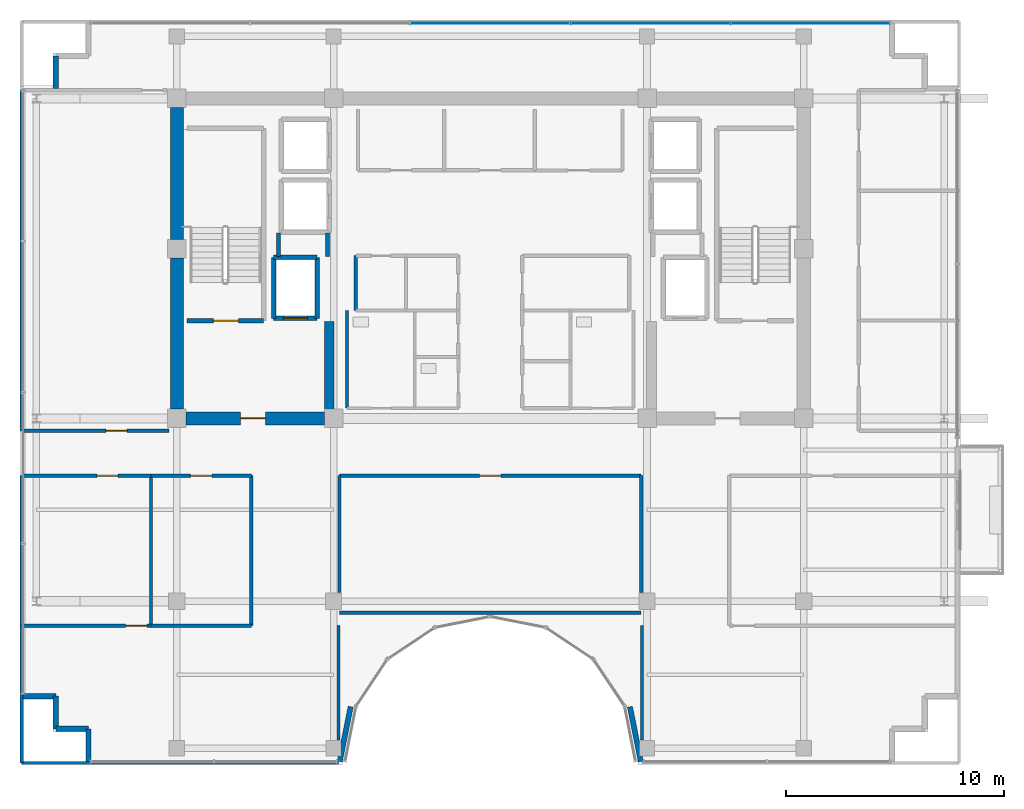
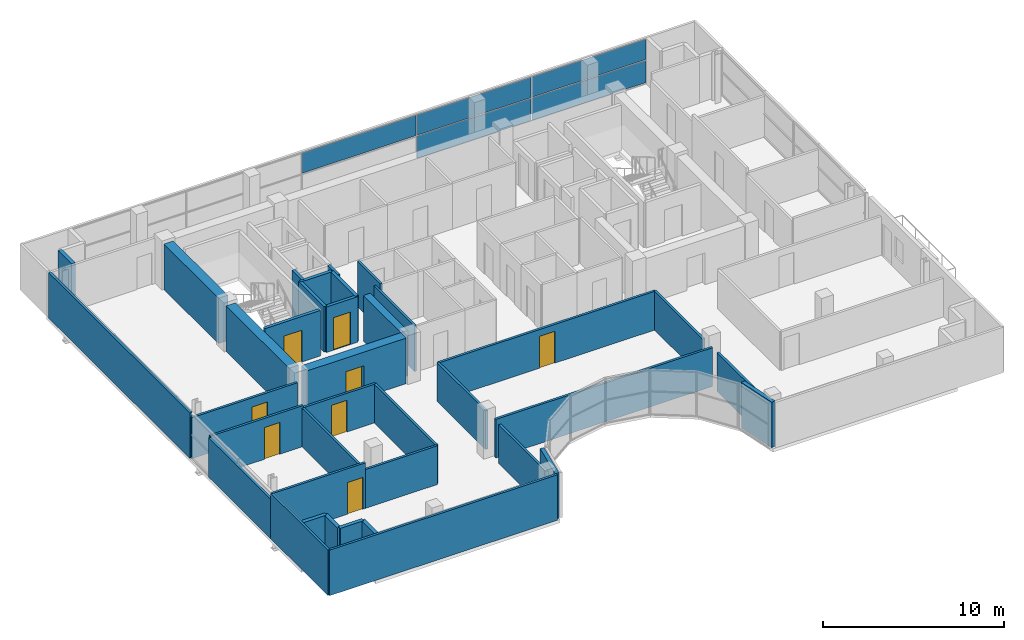
# One storey, part 23 of 29: 37 walls, 8 doors, 5 plates, 8 openings, 1 element without a shape of its own.
"""IFC4 building model written with IfcOpenShell, lengths in metres."""

from ifc_helpers import new_model, si_unit, direction, frame, frame_2d, origin, origin_2d, place, context, subcontext, project, spatial, rectangle, extrude, source, transform, mapped, material, layer, layer_set, type_object, element, fill, aggregate, save


model = new_model("IFC4")

# Units and contexts
model_context = context("Model", 3, precision=1e-05, world=origin(), true_north=direction((0.0, 1.0)))
body_context = subcontext(model_context, "Body", "Model", "MODEL_VIEW")
ifc_project = project(units=[si_unit("LENGTHUNIT", "METRE"), si_unit("AREAUNIT", "SQUARE_METRE"), si_unit("VOLUMEUNIT", "CUBIC_METRE"), si_unit("PLANEANGLEUNIT", "RADIAN"), si_unit("MASSUNIT", "GRAM", prefix="KILO")], contexts=[model_context])

# Site, building, storey
site_placement = place(None, origin())
site = spatial("IfcSite", under=ifc_project, at=site_placement, CompositionType="ELEMENT")
building_placement = place(site_placement, origin())
building = spatial("IfcBuilding", under=site, at=building_placement, Name="Zarnakvel Exchange Tower", CompositionType="ELEMENT")
storey_placement = place(building_placement, frame((0.0, 0.0, 258.39990234375)))
storey = spatial("IfcBuildingStorey", under=building, at=storey_placement, Name="L73", CompositionType="ELEMENT", Elevation=258.39990234375)

# Curtain wall, plates
ifc_material_1 = material(Name="Architectural Bronze Anodised Aluminium", Category="aluminium")
ifc_layer_1 = layer(ifc_material_1, 0.159912109375)
ifc_layer_set_1 = layer_set([ifc_layer_1], Name="Architectural Bronze Anodised Aluminium")
curtain_wall_type = type_object("IfcCurtainWallType", Name="CW-06", PredefinedType="NOTDEFINED", material=ifc_layer_set_1)
curtain_wall_placement = place(storey_placement, origin())
curtain_wall = element("IfcCurtainWall", 1, at=curtain_wall_placement, inside=storey, type_object=curtain_wall_type, Name="L73 Curtain Wall CW-L73-N1 (CW-06)", PredefinedType="NOTDEFINED")
ifc_material_2 = material(Name="Double Low-E Laminated Vision Glass", Category="glass")
ifc_layer_2 = layer(ifc_material_2, 0.033935546875)
ifc_layer_set_2 = layer_set([ifc_layer_2], Name="Double Low-E Laminated Vision Glass")
plate_type = type_object("IfcPlateType", Name="CWP-06", PredefinedType="CURTAIN_PANEL", material=ifc_layer_set_2)
shared_shape_1 = source(origin(), body_context, "Body", "SweptSolid", [
    extrude(rectangle(XDim=7.262451171875, YDim=0.033935546875, at=origin_2d()), origin(), (0.0, 0.0, 1.0), 1.4912109375),
])
plate_1_placement = place(storey_placement, frame((14.703857421875, 16.9599609375, 0.06494140625), z_axis=(0.0, 0.0, 1.0), x_axis=(1.0, 0.0, 0.0)))
plate_1 = element("IfcPlate", 2, at=plate_1_placement, type_object=plate_type, Name="CW-06 panel 5.1", PredefinedType="CURTAIN_PANEL", context=body_context, shape_type="MappedRepresentation", body=[
    mapped(shared_shape_1, transform((0.0, 0.0, 0.0), x_axis=(1.0, 0.0, 0.0), y_axis=(0.0, 1.0, 0.0), z_axis=(0.0, 0.0, 1.0), scale=1.0)),
])
shared_shape_2 = source(origin(), body_context, "Body", "SweptSolid", [
    extrude(rectangle(XDim=7.262451171875, YDim=0.033935546875, at=origin_2d()), origin(), (0.0, 0.0, 1.0), 1.368896484375),
])
plate_2_placement = place(storey_placement, frame((14.703857421875, 16.9599609375, 1.62109375), z_axis=(0.0, 0.0, 1.0), x_axis=(1.0, 0.0, 0.0)))
plate_2 = element("IfcPlate", 3, at=plate_2_placement, type_object=plate_type, Name="CW-06 panel 5.2", PredefinedType="CURTAIN_PANEL", context=body_context, shape_type="MappedRepresentation", body=[
    mapped(shared_shape_2, transform((0.0, 0.0, 0.0), x_axis=(1.0, 0.0, 0.0), y_axis=(0.0, 1.0, 0.0), z_axis=(0.0, 0.0, 1.0), scale=1.0)),
])
shared_shape_3 = source(origin(), body_context, "Body", "SweptSolid", [
    extrude(rectangle(XDim=7.294921875, YDim=0.033935546875, at=origin_2d()), origin(), (0.0, 0.0, 1.0), 1.4912109375),
])
plate_3_placement = place(storey_placement, frame((7.360107421875, 16.9599609375, 0.06494140625), z_axis=(0.0, 0.0, 1.0), x_axis=(1.0, 0.0, 0.0)))
plate_3 = element("IfcPlate", 4, at=plate_3_placement, type_object=plate_type, Name="CW-06 panel 4.1", PredefinedType="CURTAIN_PANEL", context=body_context, shape_type="MappedRepresentation", body=[
    mapped(shared_shape_3, transform((0.0, 0.0, 0.0), x_axis=(1.0, 0.0, 0.0), y_axis=(0.0, 1.0, 0.0), z_axis=(0.0, 0.0, 1.0), scale=1.0)),
])
shared_shape_4 = source(origin(), body_context, "Body", "SweptSolid", [
    extrude(rectangle(XDim=7.294921875, YDim=0.033935546875, at=origin_2d()), origin(), (0.0, 0.0, 1.0), 1.368896484375),
])
plate_4_placement = place(storey_placement, frame((0.0, 16.9599609375, 1.62109375), z_axis=(0.0, 0.0, 1.0), x_axis=(1.0, 0.0, 0.0)))
plate_4 = element("IfcPlate", 5, at=plate_4_placement, type_object=plate_type, Name="CW-06 panel 3.2", PredefinedType="CURTAIN_PANEL", context=body_context, shape_type="MappedRepresentation", body=[
    mapped(shared_shape_4, transform((0.0, 0.0, 0.0), x_axis=(1.0, 0.0, 0.0), y_axis=(0.0, 1.0, 0.0), z_axis=(0.0, 0.0, 1.0), scale=1.0)),
])
plate_5_placement = place(storey_placement, frame((7.360107421875, 16.9599609375, 1.62109375), z_axis=(0.0, 0.0, 1.0), x_axis=(1.0, 0.0, 0.0)))
plate_5 = element("IfcPlate", 6, at=plate_5_placement, type_object=plate_type, Name="CW-06 panel 4.2", PredefinedType="CURTAIN_PANEL", context=body_context, shape_type="MappedRepresentation", body=[
    mapped(shared_shape_4, transform((0.0, 0.0, 0.0), x_axis=(1.0, 0.0, 0.0), y_axis=(0.0, 1.0, 0.0), z_axis=(0.0, 0.0, 1.0), scale=1.0)),
])
aggregate(curtain_wall, [plate_4, plate_3, plate_5, plate_1, plate_2])

# Walls
ifc_material_3 = material(Name="Concrete C50/60", Category="concrete")
ifc_layer_3 = layer(ifc_material_3, 0.60009765625)
ifc_layer_set_3 = layer_set([ifc_layer_3], Name="Concrete C50/60")
wall_type_1 = type_object("IfcWallType", Name="CW-C5", PredefinedType="SHEAR", material=ifc_layer_set_3)
wall_1_placement = place(storey_placement, frame((-14.39990234375, -0.77490234375, 0.0), z_axis=(0.0, 0.0, 1.0), x_axis=(0.0, 1.0, 0.0)))
element("IfcWall", 7, at=wall_1_placement, inside=storey, type_object=wall_type_1, Name="L73 Rear Core Shear Wall W1 (CW-C5)", PredefinedType="SHEAR", context=body_context, shape_type="SweptSolid", body=[
    extrude(rectangle(XDim=6.949951171875, YDim=0.60009765625, at=frame_2d((3.47509765625, 0.0))), origin(), (0.0, 0.0, 1.0), 3.0751953125),
])
wall_2_placement = place(storey_placement, frame((-14.39990234375, 7.02490234375, 0.0), z_axis=(0.0, 0.0, 1.0), x_axis=(0.0, 1.0, 0.0)))
element("IfcWall", 8, at=wall_2_placement, inside=storey, type_object=wall_type_1, Name="L73 Rear Core Shear Wall W2 (CW-C5)", PredefinedType="SHEAR", context=body_context, shape_type="SweptSolid", body=[
    extrude(rectangle(XDim=6.050048828125, YDim=0.60009765625, at=frame_2d((3.02490234375, 0.0))), origin(), (0.0, 0.0, 1.0), 3.0751953125),
])

# Wall, opening, door
wall_3_placement = place(storey_placement, frame((-7.625, -1.199951171875, 0.0), z_axis=(0.0, 0.0, 1.0), x_axis=(-1.0, 0.0, 0.0)))
wall_3 = element("IfcWall", 9, at=wall_3_placement, inside=storey, type_object=wall_type_1, Name="L73 Rear Core Shear Wall SW (CW-C5)", PredefinedType="SHEAR", context=body_context, shape_type="SweptSolid", body=[
    extrude(rectangle(XDim=6.35009765625, YDim=0.60009765625, at=frame_2d((3.175048828125, 0.0))), origin(), (0.0, 0.0, 1.0), 3.0751953125),
])
opening_1_placement = place(wall_3_placement, frame((2.699951171875, 0.0, 0.0)))
opening_1 = element("IfcOpeningElement", 10, at=opening_1_placement, cuts=wall_3, Name="Opening D-L73-03", PredefinedType="OPENING", context=body_context, shape_type="SweptSolid", body=[
    extrude(rectangle(XDim=1.14990234375, YDim=2.14990234375, at=frame_2d((0.574951171875, 1.074951171875))), frame((0.0, 0.31005859375, 0.0), z_axis=(0.0, -1.0, 0.0), x_axis=(1.0, 0.0, 0.0)), (0.0, 0.0, 1.0), 0.6201171875),
])
ifc_material_4 = material(Name="Painted Galvanised Steel S355", Category="steel")
door_type_1 = type_object("IfcDoorType", Name="DT-04", OperationType="NOTDEFINED", PredefinedType="DOOR", material=ifc_material_4)
shared_shape_5 = source(origin(), body_context, "Body", "SweptSolid", [
    extrude(rectangle(XDim=1.14990234375, YDim=2.14990234375, at=frame_2d((0.574951171875, 1.074951171875))), frame((0.0, 0.02490234375, 0.0), z_axis=(0.0, -1.0, 0.0), x_axis=(1.0, 0.0, 0.0)), (0.0, 0.0, 1.0), 0.050048828125),
])
door_1_placement = place(opening_1_placement, origin())
door_1 = element("IfcDoor", 11, at=door_1_placement, inside=storey, type_object=door_type_1, Name="L73 Firefighting Lobby West Door D-L73-03", OperationType="SINGLE_SWING_LEFT", OverallHeight=2.14990234375, OverallWidth=1.14990234375, PredefinedType="DOOR", context=body_context, shape_type="MappedRepresentation", body=[
    mapped(shared_shape_5, transform((0.0, 0.0, 0.0), x_axis=(1.0, 0.0, 0.0), y_axis=(0.0, 1.0, 0.0), z_axis=(0.0, 0.0, 1.0), scale=1.0)),
])
fill(opening_1, door_1)

# Walls
ifc_layer_4 = layer(ifc_material_3, 0.449951171875)
ifc_layer_set_4 = layer_set([ifc_layer_4], Name="Concrete C50/60")
wall_type_2 = type_object("IfcWallType", Name="CW-C6", PredefinedType="SHEAR", material=ifc_layer_set_4)
wall_4_placement = place(storey_placement, frame((-7.39990234375, -0.89990234375, 0.0), z_axis=(0.0, 0.0, 1.0), x_axis=(0.0, 1.0, 0.0)))
element("IfcWall", 12, at=wall_4_placement, inside=storey, type_object=wall_type_2, Name="L73 Rear Core Shear Wall IW (CW-C6)", PredefinedType="SHEAR", context=body_context, shape_type="SweptSolid", body=[
    extrude(rectangle(XDim=4.14990234375, YDim=0.449951171875, at=frame_2d((2.074951171875, 0.0))), origin(), (0.0, 0.0, 1.0), 3.0751953125),
])
ifc_material_5 = material(Name="Precast concrete C40/50", Category="concrete")
ifc_layer_5 = layer(ifc_material_5, 0.239990234375)
ifc_layer_set_5 = layer_set([ifc_layer_5], Name="Precast concrete C40/50")
wall_type_3 = type_object("IfcWallType", Name="EW-02", PredefinedType="SOLIDWALL", material=ifc_layer_set_5)
wall_5_placement = place(storey_placement, frame((-19.9599609375, 15.4599609375, 0.0), z_axis=(0.0, 0.0, 1.0), x_axis=(0.0, -1.0, 0.0)))
element("IfcWall", 13, at=wall_5_placement, inside=storey, type_object=wall_type_3, Name="L73 Exterior Precast Spandrel Wall EWC-L73-02 (EW-02)", PredefinedType="SOLIDWALL", context=body_context, shape_type="SweptSolid", body=[
    extrude(rectangle(XDim=1.5, YDim=0.239990234375, at=frame_2d((0.75, 0.0))), origin(), (0.0, 0.0, 1.0), 3.0751953125),
])
for number, where, z_axis, x_axis, name in (
    (14, (6.414306640625, -14.443115234375, 0.0), (0.0, 0.0, 1.0), (0.195036545742, -0.980795975637, 0.0), "L73 Exterior Precast Spandrel Wall EWC-L73-15 (EW-02)"),
    (15, (-6.914794921875, -16.9599609375, 0.0), (0.0, 0.0, 1.0), (0.195036545742, 0.980795975637, 0.0), "L73 Exterior Precast Spandrel Wall EWC-L73-16 (EW-02)"),
):
    element("IfcWall", number, at=place(storey_placement, frame(where, z_axis=z_axis, x_axis=x_axis)), inside=storey, type_object=wall_type_3, Name=name, PredefinedType="SOLIDWALL", context=body_context, shape_type="SweptSolid", body=[
        extrude(rectangle(XDim=2.566162109375, YDim=0.239990234375, at=frame_2d((1.283203125, 0.0))), origin(), (0.0, 0.0, 1.0), 3.0751953125),
    ])
for number, where, z_axis, x_axis, name in (
    (16, (-18.4599609375, -15.4599609375, 0.0), (0.0, 0.0, 1.0), (0.0, -1.0, 0.0), "L73 Exterior Precast Spandrel Wall EWC-L73-17 (EW-02)"),
    (17, (-19.9599609375, -15.4599609375, 0.0), (0.0, 0.0, 1.0), (1.0, 0.0, 0.0), "L73 Exterior Precast Spandrel Wall EWC-L73-18 (EW-02)"),
    (18, (-19.9599609375, -13.9599609375, 0.0), (0.0, 0.0, 1.0), (0.0, -1.0, 0.0), "L73 Exterior Precast Spandrel Wall EWC-L73-19 (EW-02)"),
    (19, (-21.4599609375, -13.9599609375, 0.0), (0.0, 0.0, 1.0), (1.0, 0.0, 0.0), "L73 Exterior Precast Spandrel Wall EWC-L73-20 (EW-02)"),
):
    element("IfcWall", number, at=place(storey_placement, frame(where, z_axis=z_axis, x_axis=x_axis)), inside=storey, type_object=wall_type_3, Name=name, PredefinedType="SOLIDWALL", context=body_context, shape_type="SweptSolid", body=[
        extrude(rectangle(XDim=1.5, YDim=0.239990234375, at=frame_2d((0.75, 0.0))), origin(), (0.0, 0.0, 1.0), 3.0751953125),
    ])
ifc_material_6 = material(Name="Fire-Rated Gypsum Stud Partition", Category="gypsum")
ifc_layer_6 = layer(ifc_material_6, 0.14990234375)
ifc_layer_set_6 = layer_set([ifc_layer_6], Name="Fire-Rated Gypsum Stud Partition")
wall_type_4 = type_object("IfcWallType", Name="PT-01", PredefinedType="PARTITIONING", material=ifc_layer_set_6)
wall_6_placement = place(storey_placement, frame((-6.179931640625, 3.760009765625, 0.0), z_axis=(0.0, 0.0, 1.0), x_axis=(0.0, 1.0, 0.0)))
element("IfcWall", 20, at=wall_6_placement, inside=storey, type_object=wall_type_4, Name="L73 Partition Wall PWALL-L73-020 (PT-01)", PredefinedType="PARTITIONING", context=body_context, shape_type="SweptSolid", body=[
    extrude(rectangle(XDim=2.52001953125, YDim=0.14990234375, at=frame_2d((1.260009765625, 0.0))), origin(), (0.0, 0.0, 1.0), 3.0751953125),
])

# Wall, opening, door
wall_7_placement = place(storey_placement, frame((-15.587890625, -10.719970703125, 0.0), z_axis=(0.0, 0.0, 1.0), x_axis=(-1.0, 0.0, 0.0)))
wall_7 = element("IfcWall", 21, at=wall_7_placement, inside=storey, type_object=wall_type_4, Name="L73 Partition Wall PWALL-L73-044 (PT-01)", PredefinedType="PARTITIONING", context=body_context, shape_type="SweptSolid", body=[
    extrude(rectangle(XDim=5.942138671875, YDim=0.14990234375, at=frame_2d((2.97119140625, 0.0))), origin(), (0.0, 0.0, 1.0), 3.0751953125),
])
opening_2_placement = place(wall_7_placement, frame((0.179931640625, 0.0, 0.0)))
opening_2 = element("IfcOpeningElement", 22, at=opening_2_placement, cuts=wall_7, Name="Opening D-L73-19", PredefinedType="OPENING", context=body_context, shape_type="SweptSolid", body=[
    extrude(rectangle(XDim=0.97998046875, YDim=2.14990234375, at=frame_2d((0.489990234375, 1.074951171875))), frame((0.0, 0.0849609375, 0.0), z_axis=(0.0, -1.0, 0.0), x_axis=(1.0, 0.0, 0.0)), (0.0, 0.0, 1.0), 0.169921875),
])
ifc_material_7 = material(Name="Timber Acoustic Veneer", Category="wood")
door_type_2 = type_object("IfcDoorType", Name="DT-05", OperationType="NOTDEFINED", PredefinedType="DOOR", material=ifc_material_7)
shared_shape_6 = source(origin(), body_context, "Body", "SweptSolid", [
    extrude(rectangle(XDim=0.97998046875, YDim=2.14990234375, at=frame_2d((0.489990234375, 1.074951171875))), frame((0.0, 0.02490234375, 0.0), z_axis=(0.0, -1.0, 0.0), x_axis=(1.0, 0.0, 0.0)), (0.0, 0.0, 1.0), 0.050048828125),
])
door_2_placement = place(opening_2_placement, origin())
door_2 = element("IfcDoor", 23, at=door_2_placement, inside=storey, type_object=door_type_2, Name="L73 Institutional Dealing Room Door D-L73-19", OperationType="SINGLE_SWING_LEFT", OverallHeight=2.14990234375, OverallWidth=0.97998046875, PredefinedType="DOOR", context=body_context, shape_type="MappedRepresentation", body=[
    mapped(shared_shape_6, transform((0.0, 0.0, 0.0), x_axis=(1.0, 0.0, 0.0), y_axis=(0.0, 1.0, 0.0), z_axis=(0.0, 0.0, 1.0), scale=1.0)),
])
fill(opening_2, door_2)

wall_8_placement = place(storey_placement, frame((-21.530029296875, -3.830078125, 0.0), z_axis=(0.0, 0.0, 1.0), x_axis=(1.0, 0.0, 0.0)))
wall_8 = element("IfcWall", 24, at=wall_8_placement, inside=storey, type_object=wall_type_4, Name="L73 Partition Wall PWALL-L73-045 (PT-01)", PredefinedType="PARTITIONING", context=body_context, shape_type="SweptSolid", body=[
    extrude(rectangle(XDim=5.942138671875, YDim=0.14990234375, at=frame_2d((2.97119140625, 0.0))), origin(), (0.0, 0.0, 1.0), 2.76513671875),
])
opening_3_placement = place(wall_8_placement, frame((3.4560546875, 0.0, 0.0)))
opening_3 = element("IfcOpeningElement", 25, at=opening_3_placement, cuts=wall_8, Name="Opening D-L73-17", PredefinedType="OPENING", context=body_context, shape_type="SweptSolid", body=[
    extrude(rectangle(XDim=0.97998046875, YDim=2.14990234375, at=frame_2d((0.489990234375, 1.074951171875))), frame((0.0, 0.0849609375, 0.0), z_axis=(0.0, -1.0, 0.0), x_axis=(1.0, 0.0, 0.0)), (0.0, 0.0, 1.0), 0.169921875),
])
door_3_placement = place(opening_3_placement, origin())
door_3 = element("IfcDoor", 26, at=door_3_placement, inside=storey, type_object=door_type_2, Name="L73 Institutional Dealing Room Door D-L73-17", OperationType="SINGLE_SWING_LEFT", OverallHeight=2.14990234375, OverallWidth=0.97998046875, PredefinedType="DOOR", context=body_context, shape_type="MappedRepresentation", body=[
    mapped(shared_shape_6, transform((0.0, 0.0, 0.0), x_axis=(1.0, 0.0, 0.0), y_axis=(0.0, 1.0, 0.0), z_axis=(0.0, 0.0, 1.0), scale=1.0)),
])
fill(opening_3, door_3)

# Walls
wall_9_placement = place(storey_placement, frame((-21.530029296875, -10.719970703125, 0.0), z_axis=(0.0, 0.0, 1.0), x_axis=(0.0, 1.0, 0.0)))
element("IfcWall", 27, at=wall_9_placement, inside=storey, type_object=wall_type_4, Name="L73 Partition Wall PWALL-L73-046 (PT-01)", PredefinedType="PARTITIONING", context=body_context, shape_type="SweptSolid", body=[
    extrude(rectangle(XDim=6.889892578125, YDim=0.14990234375, at=frame_2d((3.44482421875, 0.0))), origin(), (0.0, 0.0, 1.0), 2.6650390625),
])
wall_10_placement = place(storey_placement, frame((-15.587890625, -3.830078125, 0.0), z_axis=(0.0, 0.0, 1.0), x_axis=(0.0, -1.0, 0.0)))
element("IfcWall", 28, at=wall_10_placement, inside=storey, type_object=wall_type_4, Name="L73 Partition Wall PWALL-L73-047 (PT-01)", PredefinedType="PARTITIONING", context=body_context, shape_type="SweptSolid", body=[
    extrude(rectangle(XDim=6.889892578125, YDim=0.14990234375, at=frame_2d((3.44482421875, 0.0))), origin(), (0.0, 0.0, 1.0), 2.614990234375),
])
wall_11_placement = place(storey_placement, frame((-10.97998046875, -10.719970703125, 0.0), z_axis=(0.0, 0.0, 1.0), x_axis=(-1.0, 0.0, 0.0)))
element("IfcWall", 29, at=wall_11_placement, inside=storey, type_object=wall_type_4, Name="L73 Partition Wall PWALL-L73-048 (PT-01)", PredefinedType="PARTITIONING", context=body_context, shape_type="SweptSolid", body=[
    extrude(rectangle(XDim=4.60791015625, YDim=0.14990234375, at=frame_2d((2.303955078125, 0.0))), origin(), (0.0, 0.0, 1.0), 2.614990234375),
])

# Wall, opening, door
wall_12_placement = place(storey_placement, frame((-15.587890625, -3.830078125, 0.0), z_axis=(0.0, 0.0, 1.0), x_axis=(1.0, 0.0, 0.0)))
wall_12 = element("IfcWall", 30, at=wall_12_placement, inside=storey, type_object=wall_type_4, Name="L73 Partition Wall PWALL-L73-049 (PT-01)", PredefinedType="PARTITIONING", context=body_context, shape_type="SweptSolid", body=[
    extrude(rectangle(XDim=4.60791015625, YDim=0.14990234375, at=frame_2d((2.303955078125, 0.0))), origin(), (0.0, 0.0, 1.0), 2.614990234375),
])
opening_4_placement = place(wall_12_placement, frame((1.813720703125, 0.0, 0.0)))
opening_4 = element("IfcOpeningElement", 31, at=opening_4_placement, cuts=wall_12, Name="Opening D-L73-18", PredefinedType="OPENING", context=body_context, shape_type="SweptSolid", body=[
    extrude(rectangle(XDim=0.97998046875, YDim=2.14990234375, at=frame_2d((0.489990234375, 1.074951171875))), frame((0.0, 0.0849609375, 0.0), z_axis=(0.0, -1.0, 0.0), x_axis=(1.0, 0.0, 0.0)), (0.0, 0.0, 1.0), 0.169921875),
])
door_4_placement = place(opening_4_placement, origin())
door_4 = element("IfcDoor", 32, at=door_4_placement, inside=storey, type_object=door_type_2, Name="L73 Clearing Office Door D-L73-18", OperationType="SINGLE_SWING_RIGHT", OverallHeight=2.14990234375, OverallWidth=0.97998046875, PredefinedType="DOOR", context=body_context, shape_type="MappedRepresentation", body=[
    mapped(shared_shape_6, transform((0.0, 0.0, 0.0), x_axis=(1.0, 0.0, 0.0), y_axis=(0.0, 1.0, 0.0), z_axis=(0.0, 0.0, 1.0), scale=1.0)),
])
fill(opening_4, door_4)

# Walls
wall_13_placement = place(storey_placement, frame((-10.97998046875, -3.830078125, 0.0), z_axis=(0.0, 0.0, 1.0), x_axis=(0.0, -1.0, 0.0)))
element("IfcWall", 33, at=wall_13_placement, inside=storey, type_object=wall_type_4, Name="L73 Partition Wall PWALL-L73-050 (PT-01)", PredefinedType="PARTITIONING", context=body_context, shape_type="SweptSolid", body=[
    extrude(rectangle(XDim=6.889892578125, YDim=0.14990234375, at=frame_2d((3.44482421875, 0.0))), origin(), (0.0, 0.0, 1.0), 2.614990234375),
])
wall_14_placement = place(storey_placement, frame((-6.969970703125, -17.030029296875, 0.0), z_axis=(0.0, 0.0, 1.0), x_axis=(-1.0, 0.0, 0.0)))
element("IfcWall", 34, at=wall_14_placement, inside=storey, type_object=wall_type_4, Name="L73 Partition Wall PWALL-L73-051 (PT-01)", PredefinedType="PARTITIONING", context=body_context, shape_type="SweptSolid", body=[
    extrude(rectangle(XDim=14.56005859375, YDim=0.14990234375, at=frame_2d((7.280029296875, 0.0))), origin(), (0.0, 0.0, 1.0), 3.0751953125),
])
wall_15_placement = place(storey_placement, frame((-21.530029296875, -17.030029296875, 0.0), z_axis=(0.0, 0.0, 1.0), x_axis=(0.0, 1.0, 0.0)))
element("IfcWall", 35, at=wall_15_placement, inside=storey, type_object=wall_type_4, Name="L73 Partition Wall PWALL-L73-052 (PT-01)", PredefinedType="PARTITIONING", context=body_context, shape_type="SweptSolid", body=[
    extrude(rectangle(XDim=6.31005859375, YDim=0.14990234375, at=frame_2d((3.155029296875, 0.0))), origin(), (0.0, 0.0, 1.0), 3.0751953125),
])
for number, where, z_axis, x_axis, name in (
    (36, (-6.969970703125, -10.719970703125, 0.0), (0.0, 0.0, 1.0), (0.0, -1.0, 0.0), "L73 Partition Wall PWALL-L73-053 (PT-01)"),
    (37, (6.969970703125, -15.97998046875, 0.0), (0.0, 0.0, 1.0), (0.0, 1.0, 0.0), "L73 Partition Wall PWALL-L73-059 (PT-01)"),
):
    element("IfcWall", number, at=place(storey_placement, frame(where, z_axis=z_axis, x_axis=x_axis)), inside=storey, type_object=wall_type_4, Name=name, PredefinedType="PARTITIONING", context=body_context, shape_type="SweptSolid", body=[
        extrude(rectangle(XDim=5.260009765625, YDim=0.14990234375, at=frame_2d((2.6298828125, 0.0))), origin(), (0.0, 0.0, 1.0), 2.614990234375),
    ])
wall_16_placement = place(storey_placement, frame((6.929931640625, -10.1298828125, 0.0), z_axis=(0.0, 0.0, 1.0), x_axis=(-1.0, 0.0, 0.0)))
element("IfcWall", 38, at=wall_16_placement, inside=storey, type_object=wall_type_4, Name="L73 Partition Wall PWALL-L73-061 (PT-01)", PredefinedType="PARTITIONING", context=body_context, shape_type="SweptSolid", body=[
    extrude(rectangle(XDim=13.85986328125, YDim=0.14990234375, at=frame_2d((6.929931640625, 0.0))), origin(), (0.0, 0.0, 1.0), 2.614990234375),
])

# Wall, opening, door
wall_17_placement = place(storey_placement, frame((-6.929931640625, -3.830078125, 0.0), z_axis=(0.0, 0.0, 1.0), x_axis=(1.0, 0.0, 0.0)))
wall_17 = element("IfcWall", 39, at=wall_17_placement, inside=storey, type_object=wall_type_4, Name="L73 Partition Wall PWALL-L73-062 (PT-01)", PredefinedType="PARTITIONING", context=body_context, shape_type="SweptSolid", body=[
    extrude(rectangle(XDim=13.85986328125, YDim=0.14990234375, at=frame_2d((6.929931640625, 0.0))), origin(), (0.0, 0.0, 1.0), 2.614990234375),
])
opening_5_placement = place(wall_17_placement, frame((6.43994140625, 0.0, 0.0)))
opening_5 = element("IfcOpeningElement", 40, at=opening_5_placement, cuts=wall_17, Name="Opening D-L73-22", PredefinedType="OPENING", context=body_context, shape_type="SweptSolid", body=[
    extrude(rectangle(XDim=0.97998046875, YDim=2.14990234375, at=frame_2d((0.489990234375, 1.074951171875))), frame((0.0, 0.0849609375, 0.0), z_axis=(0.0, -1.0, 0.0), x_axis=(1.0, 0.0, 0.0)), (0.0, 0.0, 1.0), 0.169921875),
])
door_5_placement = place(opening_5_placement, origin())
door_5 = element("IfcDoor", 41, at=door_5_placement, inside=storey, type_object=door_type_2, Name="L73 Reception Lounge Door D-L73-22", OperationType="SINGLE_SWING_RIGHT", OverallHeight=2.14990234375, OverallWidth=0.97998046875, PredefinedType="DOOR", context=body_context, shape_type="MappedRepresentation", body=[
    mapped(shared_shape_6, transform((0.0, 0.0, 0.0), x_axis=(1.0, 0.0, 0.0), y_axis=(0.0, 1.0, 0.0), z_axis=(0.0, 0.0, 1.0), scale=1.0)),
])
fill(opening_5, door_5)

# Walls
for number, where, z_axis, x_axis, name in (
    (42, (-6.929931640625, -9.205078125, 0.0), (0.0, 0.0, 1.0), (0.0, 1.0, 0.0), "L73 Partition Wall PWALL-L73-063 (PT-01)"),
    (43, (6.929931640625, -3.830078125, 0.0), (0.0, 0.0, 1.0), (0.0, -1.0, 0.0), "L73 Partition Wall PWALL-L73-064 (PT-01)"),
):
    element("IfcWall", number, at=place(storey_placement, frame(where, z_axis=z_axis, x_axis=x_axis)), inside=storey, type_object=wall_type_4, Name=name, PredefinedType="PARTITIONING", context=body_context, shape_type="SweptSolid", body=[
        extrude(rectangle(XDim=5.375, YDim=0.14990234375, at=frame_2d((2.6875, 0.0))), origin(), (0.0, 0.0, 1.0), 2.614990234375),
    ])

# Wall, opening, door
wall_18_placement = place(storey_placement, frame((-14.77001953125, -1.77001953125, 0.0), z_axis=(0.0, 0.0, 1.0), x_axis=(-1.0, 0.0, 0.0)))
wall_18 = element("IfcWall", 44, at=wall_18_placement, inside=storey, type_object=wall_type_4, Name="L73 Partition Wall PWALL-L73-065 (PT-01)", PredefinedType="PARTITIONING", context=body_context, shape_type="SweptSolid", body=[
    extrude(rectangle(XDim=6.760009765625, YDim=0.14990234375, at=frame_2d((3.3798828125, 0.0))), origin(), (0.0, 0.0, 1.0), 2.76513671875),
])
opening_6_placement = place(wall_18_placement, frame((1.9150390625, 0.0, 0.0)))
opening_6 = element("IfcOpeningElement", 45, at=opening_6_placement, cuts=wall_18, Name="Opening D-L73-23", PredefinedType="OPENING", context=body_context, shape_type="SweptSolid", body=[
    extrude(rectangle(XDim=0.97998046875, YDim=2.14990234375, at=frame_2d((0.489990234375, 1.074951171875))), frame((0.0, 0.0849609375, 0.0), z_axis=(0.0, -1.0, 0.0), x_axis=(1.0, 0.0, 0.0)), (0.0, 0.0, 1.0), 0.169921875),
])
door_6_placement = place(opening_6_placement, origin())
door_6 = element("IfcDoor", 46, at=door_6_placement, inside=storey, type_object=door_type_2, Name="L73 Meeting Room Door D-L73-23", OperationType="SINGLE_SWING_LEFT", OverallHeight=2.14990234375, OverallWidth=0.97998046875, PredefinedType="DOOR", context=body_context, shape_type="MappedRepresentation", body=[
    mapped(shared_shape_6, transform((0.0, 0.0, 0.0), x_axis=(1.0, 0.0, 0.0), y_axis=(0.0, 1.0, 0.0), z_axis=(0.0, 0.0, 1.0), scale=1.0)),
])
fill(opening_6, door_6)

# Walls
wall_19_placement = place(storey_placement, frame((-21.530029296875, -1.77001953125, 0.0), z_axis=(0.0, 0.0, 1.0), x_axis=(0.0, 1.0, 0.0)))
element("IfcWall", 47, at=wall_19_placement, inside=storey, type_object=wall_type_4, Name="L73 Partition Wall PWALL-L73-067 (PT-01)", PredefinedType="PARTITIONING", context=body_context, shape_type="SweptSolid", body=[
    extrude(rectangle(XDim=15.64990234375, YDim=0.14990234375, at=frame_2d((7.824951171875, 0.0))), origin(), (0.0, 0.0, 1.0), 3.0751953125),
])
ifc_layer_7 = layer(ifc_material_6, 0.179931640625)
ifc_layer_set_7 = layer_set([ifc_layer_7], Name="Fire-Rated Gypsum Stud Partition")
wall_type_5 = type_object("IfcWallType", Name="PT-02", PredefinedType="PARTITIONING", material=ifc_layer_set_7)
wall_20_placement = place(storey_placement, frame((-9.72998046875, 6.239990234375, 0.0), z_axis=(0.0, 0.0, 1.0), x_axis=(0.0, 1.0, 0.0)))
element("IfcWall", 48, at=wall_20_placement, inside=storey, type_object=wall_type_5, Name="L73 Partition Wall PWALL-L73-007 (PT-02)", PredefinedType="PARTITIONING", context=body_context, shape_type="SweptSolid", body=[
    extrude(rectangle(XDim=1.090087890625, YDim=0.179931640625, at=frame_2d((0.544921875, 0.0))), origin(), (0.0, 0.0, 1.0), 3.0751953125),
])
wall_21_placement = place(storey_placement, frame((-7.469970703125, 7.330078125, 0.0), z_axis=(0.0, 0.0, 1.0), x_axis=(0.0, -1.0, 0.0)))
element("IfcWall", 49, at=wall_21_placement, inside=storey, type_object=wall_type_5, Name="L73 Partition Wall PWALL-L73-008 (PT-02)", PredefinedType="PARTITIONING", context=body_context, shape_type="SweptSolid", body=[
    extrude(rectangle(XDim=1.090087890625, YDim=0.179931640625, at=frame_2d((0.544921875, 0.0))), origin(), (0.0, 0.0, 1.0), 2.614990234375),
])
ifc_material_8 = material(Name="Moisture-Resistant Tile-Faced Partition", Category="gypsum")
ifc_layer_8 = layer(ifc_material_8, 0.135009765625)
ifc_layer_set_8 = layer_set([ifc_layer_8], Name="Moisture-Resistant Tile-Faced Partition")
wall_type_6 = type_object("IfcWallType", Name="PT-03", PredefinedType="PARTITIONING", material=ifc_layer_set_8)
wall_22_placement = place(storey_placement, frame((-6.580078125, -0.72998046875, 0.0), z_axis=(0.0, 0.0, 1.0), x_axis=(0.0, 1.0, 0.0)))
element("IfcWall", 50, at=wall_22_placement, inside=storey, type_object=wall_type_6, Name="L73 Partition Wall PWALL-L73-030 (PT-03)", PredefinedType="PARTITIONING", context=body_context, shape_type="SweptSolid", body=[
    extrude(rectangle(XDim=4.489990234375, YDim=0.135009765625, at=frame_2d((2.2451171875, 0.0))), origin(), (0.0, 0.0, 1.0), 3.0751953125),
])

# Wall, opening, door
ifc_material_9 = material(Name="Concrete C40/50", Category="concrete")
ifc_layer_9 = layer(ifc_material_9, 0.199951171875)
ifc_layer_set_9 = layer_set([ifc_layer_9], Name="Concrete C40/50")
wall_type_7 = type_object("IfcWallType", Name="SW-01", PredefinedType="SOLIDWALL", material=ifc_layer_set_9)
wall_23_placement = place(storey_placement, frame((-7.949951171875, 3.39990234375, 0.0), z_axis=(0.0, 0.0, 1.0), x_axis=(-1.0, 0.0, 0.0)))
wall_23 = element("IfcWall", 51, at=wall_23_placement, inside=storey, type_object=wall_type_7, Name="L73 FL-01 Hoistway Wall South", PredefinedType="SOLIDWALL", context=body_context, shape_type="SweptSolid", body=[
    extrude(rectangle(XDim=2.0, YDim=0.199951171875, at=frame_2d((1.0, 0.0))), origin(), (0.0, 0.0, 1.0), 3.0751953125),
])
opening_7_placement = place(wall_23_placement, frame((0.449951171875, 0.0, 0.0)))
opening_7 = element("IfcOpeningElement", 52, at=opening_7_placement, cuts=wall_23, Name="Opening LD-FL-01-L73", PredefinedType="OPENING", context=body_context, shape_type="SweptSolid", body=[
    extrude(rectangle(XDim=1.10009765625, YDim=2.199951171875, at=frame_2d((0.550048828125, 1.10009765625))), frame((0.0, 0.10986328125, 0.0), z_axis=(0.0, -1.0, 0.0), x_axis=(1.0, 0.0, 0.0)), (0.0, 0.0, 1.0), 0.219970703125),
])
ifc_material_10 = material(Name="Brushed Stainless Steel", Category="steel")
door_type_3 = type_object("IfcDoorType", Name="LDT-01", OperationType="NOTDEFINED", PredefinedType="DOOR", material=ifc_material_10)
shared_shape_7 = source(origin(), body_context, "Body", "SweptSolid", [
    extrude(rectangle(XDim=1.10009765625, YDim=2.199951171875, at=frame_2d((0.550048828125, 1.10009765625))), frame((0.0, 0.02490234375, 0.0), z_axis=(0.0, -1.0, 0.0), x_axis=(1.0, 0.0, 0.0)), (0.0, 0.0, 1.0), 0.050048828125),
])
door_7_placement = place(opening_7_placement, origin())
door_7 = element("IfcDoor", 53, at=door_7_placement, inside=storey, type_object=door_type_3, Name="L73 FL-01 Lift Landing Door LD-FL-01-L73", OperationType="DOUBLE_DOOR_SLIDING", OverallHeight=2.199951171875, OverallWidth=1.10009765625, PredefinedType="DOOR", context=body_context, shape_type="MappedRepresentation", body=[
    mapped(shared_shape_7, transform((0.0, 0.0, 0.0), x_axis=(1.0, 0.0, 0.0), y_axis=(0.0, 1.0, 0.0), z_axis=(0.0, 0.0, 1.0), scale=1.0)),
])
fill(opening_7, door_7)

# Walls
wall_24_placement = place(storey_placement, frame((-9.949951171875, 6.199951171875, 0.0), z_axis=(0.0, 0.0, 1.0), x_axis=(1.0, 0.0, 0.0)))
element("IfcWall", 54, at=wall_24_placement, inside=storey, type_object=wall_type_7, Name="L73 FL-01 Hoistway Wall North", PredefinedType="SOLIDWALL", context=body_context, shape_type="SweptSolid", body=[
    extrude(rectangle(XDim=2.0, YDim=0.199951171875, at=frame_2d((1.0, 0.0))), origin(), (0.0, 0.0, 1.0), 3.0751953125),
])
for number, where, z_axis, x_axis, name in (
    (55, (-9.949951171875, 3.39990234375, 0.0), (0.0, 0.0, 1.0), (0.0, 1.0, 0.0), "L73 FL-01 Hoistway Wall West"),
    (56, (-7.949951171875, 6.199951171875, 0.0), (0.0, 0.0, 1.0), (0.0, -1.0, 0.0), "L73 FL-01 Hoistway Wall East"),
):
    element("IfcWall", number, at=place(storey_placement, frame(where, z_axis=z_axis, x_axis=x_axis)), inside=storey, type_object=wall_type_7, Name=name, PredefinedType="SOLIDWALL", context=body_context, shape_type="SweptSolid", body=[
        extrude(rectangle(XDim=2.800048828125, YDim=0.199951171875, at=frame_2d((1.39990234375, 0.0))), origin(), (0.0, 0.0, 1.0), 3.0751953125),
    ])

# Wall, opening, door
ifc_layer_10 = layer(ifc_material_9, 0.199951171875)
ifc_layer_set_10 = layer_set([ifc_layer_10], Name="Concrete C40/50")
wall_type_8 = type_object("IfcWallType", Name="SW-02", PredefinedType="SOLIDWALL", material=ifc_layer_set_10)
wall_25_placement = place(storey_placement, frame((-10.409912109375, 3.2900390625, 0.0), z_axis=(0.0, 0.0, 1.0), x_axis=(-1.0, 0.0, 0.0)))
wall_25 = element("IfcWall", 57, at=wall_25_placement, inside=storey, type_object=wall_type_8, Name="L73 Stairwell Core Wall PWALL-L73-001 (SW-02)", PredefinedType="SOLIDWALL", context=body_context, shape_type="SweptSolid", body=[
    extrude(rectangle(XDim=3.52001953125, YDim=0.199951171875, at=frame_2d((1.760009765625, 0.0))), origin(), (0.0, 0.0, 1.0), 3.0751953125),
])
opening_8_placement = place(wall_25_placement, frame((1.1650390625, 0.0, 0.0)))
opening_8 = element("IfcOpeningElement", 58, at=opening_8_placement, cuts=wall_25, Name="Opening D-L73-01", PredefinedType="OPENING", context=body_context, shape_type="SweptSolid", body=[
    extrude(rectangle(XDim=1.14990234375, YDim=2.14990234375, at=frame_2d((0.574951171875, 1.074951171875))), frame((0.0, 0.10986328125, 0.0), z_axis=(0.0, -1.0, 0.0), x_axis=(1.0, 0.0, 0.0)), (0.0, 0.0, 1.0), 0.219970703125),
])
door_8_placement = place(opening_8_placement, origin())
door_8 = element("IfcDoor", 59, at=door_8_placement, inside=storey, type_object=door_type_1, Name="L73 Stairwell ST-01 Door D-L73-01", OperationType="SINGLE_SWING_LEFT", OverallHeight=2.14990234375, OverallWidth=1.14990234375, PredefinedType="DOOR", context=body_context, shape_type="MappedRepresentation", body=[
    mapped(shared_shape_5, transform((0.0, 0.0, 0.0), x_axis=(1.0, 0.0, 0.0), y_axis=(0.0, 1.0, 0.0), z_axis=(0.0, 0.0, 1.0), scale=1.0)),
])
fill(opening_8, door_8)

save(model, "model.ifc")
